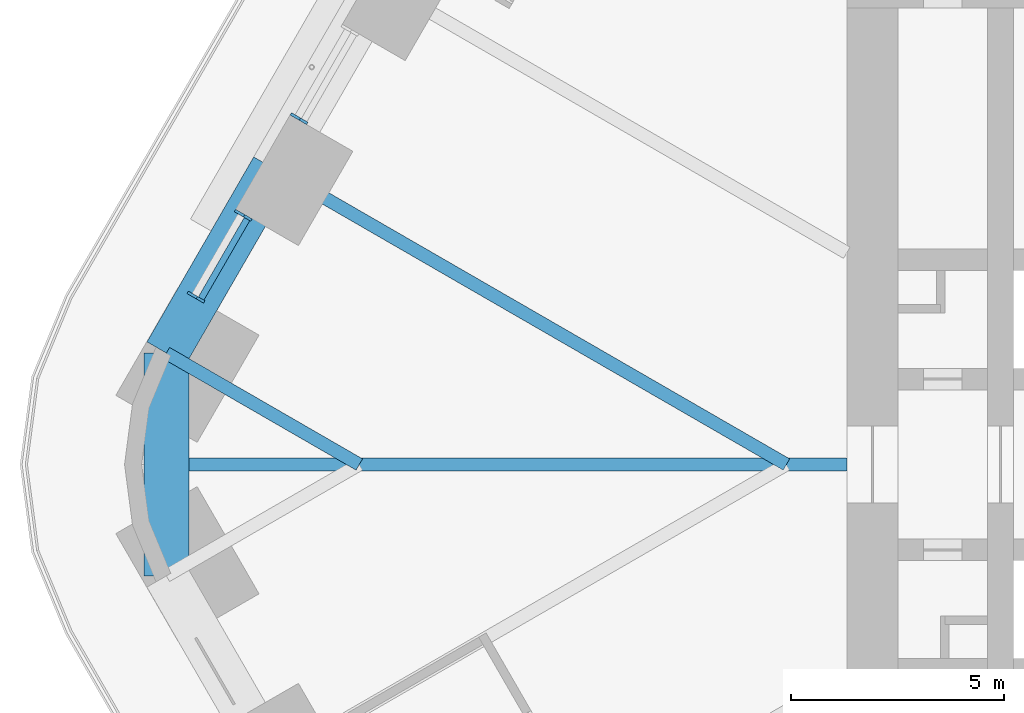
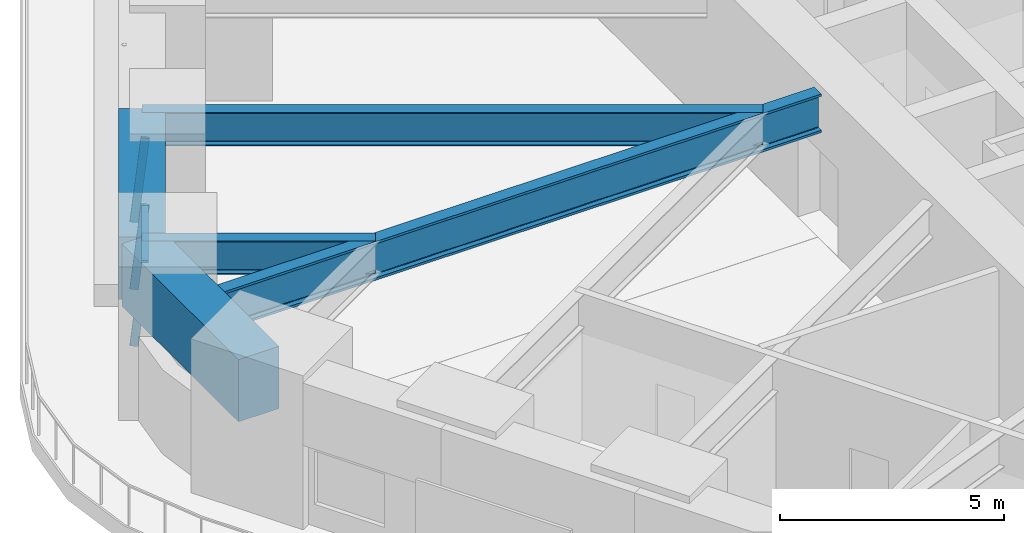
# One storey, part 6 of 24: 5 beams, 4 members, 2 elements without a shape of their own.
"""IFC4 building model written with IfcOpenShell, lengths in metres."""

from ifc_helpers import new_model, si_unit, direction, frame, origin, origin_2d, place, context, subcontext, project, spatial, rectangle, i_section, extrude, material, material_profile, profile_set, type_object, element, aggregate, save


model = new_model("IFC4")

# Units and contexts
model_context = context("Model", 3, precision=1e-05, world=origin(), true_north=direction((0.0, 1.0)))
body_context = subcontext(model_context, "Body", "Model", "MODEL_VIEW")
ifc_project = project(units=[si_unit("LENGTHUNIT", "METRE"), si_unit("AREAUNIT", "SQUARE_METRE"), si_unit("VOLUMEUNIT", "CUBIC_METRE"), si_unit("PLANEANGLEUNIT", "RADIAN"), si_unit("MASSUNIT", "GRAM", prefix="KILO")], contexts=[model_context])

# Site, building, storey
site_placement = place(None, origin())
site = spatial("IfcSite", under=ifc_project, at=site_placement, CompositionType="ELEMENT")
building_placement = place(site_placement, origin())
building = spatial("IfcBuilding", under=site, at=building_placement, Name="Tarfa Lantern Tower", CompositionType="ELEMENT")
storey_placement = place(building_placement, frame((0.0, 0.0, 119.5)))
storey = spatial("IfcBuildingStorey", under=building, at=storey_placement, Name="L26", CompositionType="ELEMENT", Elevation=119.5)

# Curtain wall, member
ifc_material_1 = material(Name="Aluminium framed curtain wall", Category="aluminium")
curtain_wall_type = type_object("IfcCurtainWallType", Name="CW2 CANTED GLAZING MID ZONE 2300", PredefinedType="USERDEFINED", material=ifc_material_1)
curtain_wall_1_placement = place(storey_placement, origin())
curtain_wall_1 = element("IfcCurtainWall", 1, at=curtain_wall_1_placement, inside=storey, type_object=curtain_wall_type, Name="CW2 NWB L26", ObjectType="CURTAIN WALL", PredefinedType="USERDEFINED")
ifc_material_2 = material(Name="Aluminium mullion", Category="aluminium")
ifc_material_profile_1 = material_profile(ifc_material_2, rectangle(XDim=0.06494140625, YDim=0.199951171875, at=origin_2d()), Name="AL MULLION 65x200")
ifc_profile_set_1 = profile_set([ifc_material_profile_1], Name="Aluminium mullion")
member_type_1 = type_object("IfcMemberType", Name="CWM1 MULLION 65x200", PredefinedType="MULLION", material=ifc_profile_set_1)
member_1_placement = place(storey_placement, frame((-31.543212890625, 8.165771484375, 0.0), z_axis=(0.093599904765, -0.0540283554, 0.994142844183), x_axis=(0.499919672301, 0.866071776036, 0.0)))
member_1 = element("IfcMember", 2, at=member_1_placement, type_object=member_type_1, Name="CW2 mullion 2", PredefinedType="MULLION", context=body_context, shape_type="SweptSolid", body=[
    extrude(rectangle(XDim=0.06494140625, YDim=0.199951171875, at=origin_2d()), origin(), (0.0, 0.0, 1.0), 2.313720703125),
])
aggregate(curtain_wall_1, [member_1])

# Curtain wall, members
curtain_wall_2_placement = place(storey_placement, origin())
curtain_wall_2 = element("IfcCurtainWall", 3, at=curtain_wall_2_placement, inside=storey, type_object=curtain_wall_type, Name="CW2 NWB L26", ObjectType="CURTAIN WALL", PredefinedType="USERDEFINED")
member_2_placement = place(storey_placement, frame((-32.8505859375, 5.901123046875, 0.0), z_axis=(0.093599904765, -0.0540283554, 0.994142844183), x_axis=(0.499919672301, 0.866071776036, 0.0)))
member_2 = element("IfcMember", 4, at=member_2_placement, type_object=member_type_1, Name="CW2 mullion 1", PredefinedType="MULLION", context=body_context, shape_type="SweptSolid", body=[
    extrude(rectangle(XDim=0.06494140625, YDim=0.199951171875, at=origin_2d()), origin(), (0.0, 0.0, 1.0), 2.313720703125),
])
member_3_placement = place(storey_placement, frame((-33.95751953125, 3.98388671875, 0.0), z_axis=(0.093599904765, -0.0540283554, 0.994142844183), x_axis=(0.499919672301, 0.866071776036, 0.0)))
member_3 = element("IfcMember", 5, at=member_3_placement, type_object=member_type_1, Name="CW2 mullion 2", PredefinedType="MULLION", context=body_context, shape_type="SweptSolid", body=[
    extrude(rectangle(XDim=0.06494140625, YDim=0.199951171875, at=origin_2d()), origin(), (0.0, 0.0, 1.0), 2.313720703125),
])
ifc_material_3 = material(Name="Aluminium transom", Category="aluminium")
ifc_material_profile_2 = material_profile(ifc_material_3, rectangle(XDim=0.14990234375, YDim=0.06494140625, at=origin_2d()), Name="AL TRANSOM 150x65")
ifc_profile_set_2 = profile_set([ifc_material_profile_2], Name="Aluminium transom")
member_type_2 = type_object("IfcMemberType", Name="CWT1 TRANSOM 150x65", PredefinedType="USERDEFINED", material=ifc_profile_set_2)
member_4_placement = place(storey_placement, frame((-32.653564453125, 5.74951171875, 2.267578125), z_axis=(-0.500001158966, -0.866024734654, 0.0), x_axis=(0.866024734654, -0.500001158966, 0.0)))
member_4 = element("IfcMember", 6, at=member_4_placement, type_object=member_type_2, Name="CW2 transom 1.2", ObjectType="TRANSOM", PredefinedType="USERDEFINED", context=body_context, shape_type="SweptSolid", body=[
    extrude(rectangle(XDim=0.14990234375, YDim=0.06494140625, at=origin_2d()), origin(), (0.0, 0.0, 1.0), 2.1484375),
])
aggregate(curtain_wall_2, [member_2, member_3, member_4])

# Beams
ifc_material_4 = material(Name="Concrete C80/95", Category="concrete")
ifc_material_profile_3 = material_profile(ifc_material_4, rectangle(XDim=1.050048828125, YDim=1.699951171875, at=origin_2d()), Name="RC 1050x1700")
ifc_profile_set_3 = profile_set([ifc_material_profile_3], Name="Concrete C80/95")
beam_type_1 = type_object("IfcBeamType", Name="RB2 RC 1050x1700", PredefinedType="BEAM", material=ifc_profile_set_3)
beam_1_placement = place(storey_placement, frame((-32.041015625, 6.943359375, 3.14990234375), z_axis=(-0.500022324899, -0.866012514114, 0.0), x_axis=(0.866012514114, -0.500022324899, 0.0)))
element("IfcBeam", 7, at=beam_1_placement, inside=storey, type_object=beam_type_1, Name="Edge beam NW5", PredefinedType="BEAM", context=body_context, shape_type="SweptSolid", body=[
    extrude(rectangle(XDim=1.050048828125, YDim=1.699951171875, at=origin_2d()), origin(), (0.0, 0.0, 1.0), 5.003662109375),
])
beam_2_placement = place(storey_placement, frame((-34.54296875, 2.610107421875, 3.14990234375), z_axis=(0.0, -1.0, 0.0), x_axis=(1.0, 0.0, 0.0)))
element("IfcBeam", 8, at=beam_2_placement, inside=storey, type_object=beam_type_1, Name="Edge beam NW6", PredefinedType="BEAM", context=body_context, shape_type="SweptSolid", body=[
    extrude(rectangle(XDim=1.050048828125, YDim=1.699951171875, at=origin_2d()), origin(), (0.0, 0.0, 1.0), 5.22021484375),
])
ifc_material_5 = material(Name="Steel S460M", Category="steel")
ifc_material_profile_4 = material_profile(ifc_material_5, i_section(OverallWidth=0.314208984375, OverallDepth=1.055908203125, WebThickness=0.035888671875, FlangeThickness=0.06396484375, FilletRadius=0.030029296875, at=origin_2d()), Name="UB1016x305x584")
ifc_profile_set_4 = profile_set([ifc_material_profile_4], Name="Steel S460M")
beam_type_2 = type_object("IfcBeamType", Name="UB1016x305x584", PredefinedType="BEAM", material=ifc_profile_set_4)
beam_3_placement = place(storey_placement, frame((-18.60009765625, 0.0, 3.471923828125), z_axis=(-1.0, 0.0, 0.0), x_axis=(0.0, -1.0, 0.0)))
element("IfcBeam", 9, at=beam_3_placement, inside=storey, type_object=beam_type_2, Name="Hip girder W", PredefinedType="BEAM", context=body_context, shape_type="SweptSolid", body=[
    extrude(i_section(OverallWidth=0.314208984375, OverallDepth=1.055908203125, WebThickness=0.035888671875, FlangeThickness=0.06396484375, FilletRadius=0.030029296875, at=origin_2d()), origin(), (0.0, 0.0, 1.0), 15.94287109375),
])
ifc_material_profile_5 = material_profile(ifc_material_5, i_section(OverallWidth=0.305419921875, OverallDepth=0.91845703125, WebThickness=0.017333984375, FlangeThickness=0.02783203125, FilletRadius=0.01904296875, at=origin_2d()), Name="UB914x305x253")
ifc_profile_set_5 = profile_set([ifc_material_profile_5], Name="Steel S460M")
beam_type_3 = type_object("IfcBeamType", Name="UB914x305x253", PredefinedType="BEAM", material=ifc_profile_set_5)
beam_4_placement = place(storey_placement, frame((-32.041015625, 6.943359375, 3.540771484375), z_axis=(0.866023096411, -0.500003996466, 0.0), x_axis=(0.500003996466, 0.866023096411, 0.0)))
element("IfcBeam", 10, at=beam_4_placement, inside=storey, type_object=beam_type_3, Name="Floor beam NW5", PredefinedType="BEAM", context=body_context, shape_type="SweptSolid", body=[
    extrude(i_section(OverallWidth=0.305419921875, OverallDepth=0.91845703125, WebThickness=0.017333984375, FlangeThickness=0.02783203125, FilletRadius=0.01904296875, at=origin_2d()), origin(), (0.0, 0.0, 1.0), 13.88671875),
])
beam_5_placement = place(storey_placement, frame((-34.54296875, 2.610107421875, 3.540771484375), z_axis=(0.866021250859, -0.500007193008, 0.0), x_axis=(0.500007193008, 0.866021250859, 0.0)))
element("IfcBeam", 11, at=beam_5_placement, inside=storey, type_object=beam_type_3, Name="Floor beam NW6", PredefinedType="BEAM", context=body_context, shape_type="SweptSolid", body=[
    extrude(i_section(OverallWidth=0.305419921875, OverallDepth=0.91845703125, WebThickness=0.017333984375, FlangeThickness=0.02783203125, FilletRadius=0.01904296875, at=origin_2d()), origin(), (0.0, 0.0, 1.0), 5.22021484375),
])

save(model, "model.ifc")
